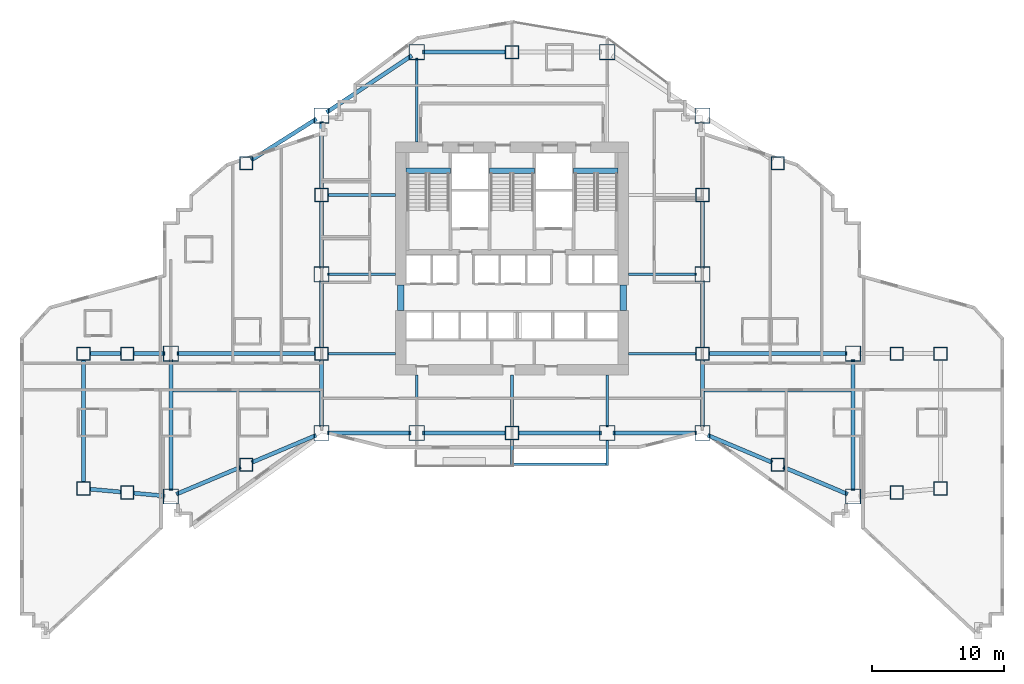
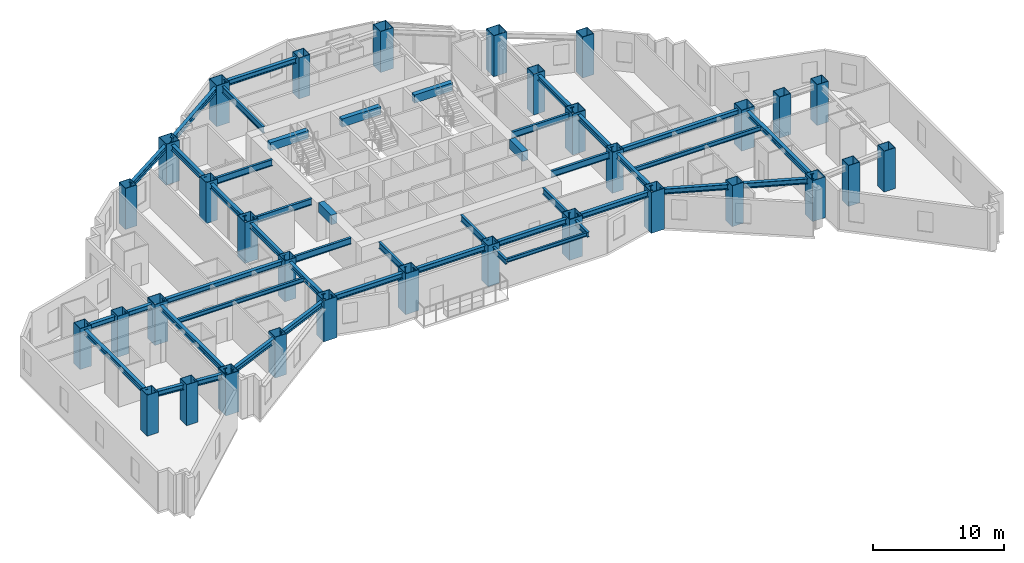
# One storey, part 1 of 15: 46 beams, 32 columns.
"""IFC4 building model written with IfcOpenShell, lengths in metres."""

from ifc_helpers import new_model, si_unit, direction, frame, origin, origin_2d, place, context, subcontext, project, spatial, rectangle, hollow_rectangle, i_section, extrude, material, material_profile, profile_set, type_object, element, save


model = new_model("IFC4")

# Units and contexts
model_context = context("Model", 3, precision=1e-05, world=origin(), true_north=direction((0.0, 1.0)))
body_context = subcontext(model_context, "Body", "Model", "MODEL_VIEW")
ifc_project = project(units=[si_unit("LENGTHUNIT", "METRE"), si_unit("AREAUNIT", "SQUARE_METRE"), si_unit("VOLUMEUNIT", "CUBIC_METRE"), si_unit("PLANEANGLEUNIT", "RADIAN"), si_unit("MASSUNIT", "GRAM", prefix="KILO")], contexts=[model_context])

# Site, building, storey
site_placement = place(None, origin())
site = spatial("IfcSite", under=ifc_project, at=site_placement, CompositionType="ELEMENT")
building_placement = place(site_placement, origin())
building = spatial("IfcBuilding", under=site, at=building_placement, Name="Haolan Belvedere Tower", CompositionType="ELEMENT")
storey_placement = place(building_placement, frame((0.0, 0.0, 66.60009765625)))
storey = spatial("IfcBuildingStorey", under=building, at=storey_placement, Name="L16", CompositionType="ELEMENT", Elevation=66.60009765625)

# Columns
ifc_material_1 = material(Name="Steel Q420GJC", Category="steel")
ifc_material_profile_1 = material_profile(ifc_material_1, hollow_rectangle(XDim=1.0, YDim=1.0, WallThickness=0.0380859375, at=origin_2d()), Name="Steel Q420GJC")
ifc_profile_set_1 = profile_set([ifc_material_profile_1], Name="Steel Q420GJC")
column_type_1 = type_object("IfcColumnType", Name="COL-BOX1000x1000x38", PredefinedType="COLUMN", material=ifc_profile_set_1)
for number, where, z_axis, x_axis, name in (
    (1, (6.0, 17.39990234375, 0.0), (0.0, 0.0, 1.0), (1.0, 0.0, 0.0), "L16 column MC-T1-SW (BOX1000x1000x38)"),
    (2, (6.0, 27.60009765625, 0.0), (0.0, 0.0, 1.0), (1.0, 0.0, 0.0), "L16 column MC-T1-NW (BOX1000x1000x38)"),
    (3, (70.800048828125, 17.39990234375, 0.0), (0.0, 0.0, 1.0), (1.0, 0.0, 0.0), "L16 column MC-T5-SE (BOX1000x1000x38)"),
    (4, (70.800048828125, 27.60009765625, 0.0), (0.0, 0.0, 1.0), (1.0, 0.0, 0.0), "L16 column MC-T5-NE (BOX1000x1000x38)"),
    (5, (24.0, 27.60009765625, 0.0), (0.0, 0.0, 1.0), (1.0, 0.0, 0.0), "L16 column TC-T3-W1 (BOX1000x1000x38)"),
    (6, (24.0, 39.60009765625, 0.0), (0.0, 0.0, 1.0), (1.0, 0.0, 0.0), "L16 column TC-T3-W2 (BOX1000x1000x38)"),
    (7, (52.800048828125, 27.60009765625, 0.0), (0.0, 0.0, 1.0), (1.0, 0.0, 0.0), "L16 column TC-T3-E1 (BOX1000x1000x38)"),
    (8, (52.800048828125, 39.60009765625, 0.0), (0.0, 0.0, 1.0), (1.0, 0.0, 0.0), "L16 column TC-T3-E2 (BOX1000x1000x38)"),
    (9, (38.39990234375, 21.60009765625, 0.0), (0.0, 0.0, 1.0), (1.0, 0.0, 0.0), "L16 column TC-T3-SM (BOX1000x1000x38)"),
    (10, (38.39990234375, 50.39990234375, 0.0), (0.0, 0.0, 1.0), (1.0, 0.0, 0.0), "L16 column TC-T3-NM (BOX1000x1000x38)"),
    (11, (18.300048828125, 19.199951171875, 0.0), (0.0, 0.0, 1.0), (1.0, 0.0, 0.0), "L16 column TC-T2-S1 (BOX1000x1000x38)"),
    (12, (18.300048828125, 42.0, 0.0), (0.0, 0.0, 1.0), (1.0, 0.0, 0.0), "L16 column TC-T2-N1 (BOX1000x1000x38)"),
    (13, (58.5, 19.199951171875, 0.0), (0.0, 0.0, 1.0), (1.0, 0.0, 0.0), "L16 column TC-T4-S1 (BOX1000x1000x38)"),
    (14, (58.5, 42.0, 0.0), (0.0, 0.0, 1.0), (1.0, 0.0, 0.0), "L16 column TC-T4-N1 (BOX1000x1000x38)"),
    (15, (9.300048828125, 17.10009765625, 0.0), (0.0, 0.0, 1.0), (1.0, 0.0, 0.0), "L16 column TC-T1-M1 (BOX1000x1000x38)"),
    (16, (9.300048828125, 27.60009765625, 0.0), (0.0, 0.0, 1.0), (1.0, 0.0, 0.0), "L16 column TC-T1-M2 (BOX1000x1000x38)"),
    (17, (67.5, 17.10009765625, 0.0), (0.0, 0.0, 1.0), (1.0, 0.0, 0.0), "L16 column TC-T5-M1 (BOX1000x1000x38)"),
    (18, (67.5, 27.60009765625, 0.0), (0.0, 0.0, 1.0), (1.0, 0.0, 0.0), "L16 column TC-T5-M2 (BOX1000x1000x38)"),
):
    element("IfcColumn", number, at=place(storey_placement, frame(where, z_axis=z_axis, x_axis=x_axis)), inside=storey, type_object=column_type_1, Name=name, PredefinedType="COLUMN", context=body_context, shape_type="SweptSolid", body=[
        extrude(hollow_rectangle(XDim=1.0, YDim=1.0, WallThickness=0.0380859375, at=origin_2d()), origin(), (0.0, 0.0, 1.0), 3.7998046875),
    ])
ifc_material_2 = material(Name="Steel Q355B", Category="steel")
ifc_material_profile_2 = material_profile(ifc_material_2, hollow_rectangle(XDim=1.14990234375, YDim=1.14990234375, WallThickness=0.0419921875, at=origin_2d()), Name="Steel Q355B")
ifc_profile_set_2 = profile_set([ifc_material_profile_2], Name="Steel Q355B")
column_type_2 = type_object("IfcColumnType", Name="COL-BOX1150x1150x42", PredefinedType="COLUMN", material=ifc_profile_set_2)
for number, where, z_axis, x_axis, name in (
    (19, (24.0, 21.60009765625, 0.0), (0.0, 0.0, 1.0), (1.0, 0.0, 0.0), "L16 column MC-T3-SW (BOX1150x1150x42)"),
    (20, (24.0, 33.60009765625, 0.0), (0.0, 0.0, 1.0), (1.0, 0.0, 0.0), "L16 column MC-T3-MW (BOX1150x1150x42)"),
    (21, (24.0, 45.60009765625, 0.0), (0.0, 0.0, 1.0), (1.0, 0.0, 0.0), "L16 column MC-T3-NW (BOX1150x1150x42)"),
    (22, (52.800048828125, 21.60009765625, 0.0), (0.0, 0.0, 1.0), (1.0, 0.0, 0.0), "L16 column MC-T3-SE (BOX1150x1150x42)"),
    (23, (52.800048828125, 33.60009765625, 0.0), (0.0, 0.0, 1.0), (1.0, 0.0, 0.0), "L16 column MC-T3-ME (BOX1150x1150x42)"),
    (24, (52.800048828125, 45.60009765625, 0.0), (0.0, 0.0, 1.0), (1.0, 0.0, 0.0), "L16 column MC-T3-NE (BOX1150x1150x42)"),
    (25, (31.199951171875, 21.60009765625, 0.0), (0.0, 0.0, 1.0), (1.0, 0.0, 0.0), "L16 column MC-T3-S1 (BOX1150x1150x42)"),
    (26, (45.60009765625, 21.60009765625, 0.0), (0.0, 0.0, 1.0), (1.0, 0.0, 0.0), "L16 column MC-T3-S2 (BOX1150x1150x42)"),
    (27, (31.199951171875, 50.39990234375, 0.0), (0.0, 0.0, 1.0), (1.0, 0.0, 0.0), "L16 column MC-T3-N1 (BOX1150x1150x42)"),
    (28, (45.60009765625, 50.39990234375, 0.0), (0.0, 0.0, 1.0), (1.0, 0.0, 0.0), "L16 column MC-T3-N2 (BOX1150x1150x42)"),
    (29, (12.60009765625, 16.800048828125, 0.0), (0.0, 0.0, 1.0), (1.0, 0.0, 0.0), "L16 column MC-T2-SW (BOX1150x1150x42)"),
    (30, (12.60009765625, 27.60009765625, 0.0), (0.0, 0.0, 1.0), (1.0, 0.0, 0.0), "L16 column MC-T2-MW (BOX1150x1150x42)"),
    (31, (64.199951171875, 16.800048828125, 0.0), (0.0, 0.0, 1.0), (1.0, 0.0, 0.0), "L16 column MC-T4-SE (BOX1150x1150x42)"),
    (32, (64.199951171875, 27.60009765625, 0.0), (0.0, 0.0, 1.0), (1.0, 0.0, 0.0), "L16 column MC-T4-ME (BOX1150x1150x42)"),
):
    element("IfcColumn", number, at=place(storey_placement, frame(where, z_axis=z_axis, x_axis=x_axis)), inside=storey, type_object=column_type_2, Name=name, PredefinedType="COLUMN", context=body_context, shape_type="SweptSolid", body=[
        extrude(hollow_rectangle(XDim=1.14990234375, YDim=1.14990234375, WallThickness=0.0419921875, at=origin_2d()), origin(), (0.0, 0.0, 1.0), 3.7998046875),
    ])

# Beams
ifc_material_profile_3 = material_profile(ifc_material_2, i_section(OverallWidth=0.300048828125, OverallDepth=0.488037109375, WebThickness=0.010986328125, FlangeThickness=0.01806640625, FilletRadius=0.02587890625, at=origin_2d()), Name="Steel Q355B")
ifc_profile_set_3 = profile_set([ifc_material_profile_3], Name="Steel Q355B")
beam_type_1 = type_object("IfcBeamType", Name="BM-HM488x300x11x18", PredefinedType="SPANDREL", material=ifc_profile_set_3)
for number, where, z_axis, x_axis, name in (
    (33, (24.0, 22.050048828125, 3.35595703125), (0.0, 1.0, 0.0), (-1.0, 0.0, 0.0), "L16 spandrel girder MC-T3-SW-TC-T3-W1"),
    (34, (24.0, 28.050048828125, 3.35595703125), (0.0, 1.0, 0.0), (-1.0, 0.0, 0.0), "L16 spandrel girder TC-T3-W1-MC-T3-MW"),
    (35, (24.0, 34.050048828125, 3.35595703125), (0.0, 1.0, 0.0), (-1.0, 0.0, 0.0), "L16 spandrel girder MC-T3-MW-TC-T3-W2"),
    (36, (24.0, 40.050048828125, 3.35595703125), (0.0, 1.0, 0.0), (-1.0, 0.0, 0.0), "L16 spandrel girder TC-T3-W2-MC-T3-NW"),
    (37, (52.800048828125, 22.050048828125, 3.35595703125), (0.0, 1.0, 0.0), (-1.0, 0.0, 0.0), "L16 spandrel girder MC-T3-SE-TC-T3-E1"),
    (38, (52.800048828125, 28.050048828125, 3.35595703125), (0.0, 1.0, 0.0), (-1.0, 0.0, 0.0), "L16 spandrel girder TC-T3-E1-MC-T3-ME"),
    (39, (52.800048828125, 34.050048828125, 3.35595703125), (0.0, 1.0, 0.0), (-1.0, 0.0, 0.0), "L16 spandrel girder MC-T3-ME-TC-T3-E2"),
):
    element("IfcBeam", number, at=place(storey_placement, frame(where, z_axis=z_axis, x_axis=x_axis)), inside=storey, type_object=beam_type_1, Name=name, PredefinedType="SPANDREL", context=body_context, shape_type="SweptSolid", body=[
        extrude(i_section(OverallWidth=0.300048828125, OverallDepth=0.488037109375, WebThickness=0.010986328125, FlangeThickness=0.01806640625, FilletRadius=0.02587890625, at=origin_2d()), origin(), (0.0, 0.0, 1.0), 5.099853515625),
    ])
for number, where, z_axis, x_axis, name in (
    (40, (24.449951171875, 21.60009765625, 3.35595703125), (1.0, 0.0, 0.0), (0.0, 1.0, 0.0), "L16 spandrel girder MC-T3-SW-MC-T3-S1"),
    (41, (31.64990234375, 21.60009765625, 3.35595703125), (1.0, 0.0, 0.0), (0.0, 1.0, 0.0), "L16 spandrel girder MC-T3-S1-TC-T3-SM"),
):
    element("IfcBeam", number, at=place(storey_placement, frame(where, z_axis=z_axis, x_axis=x_axis)), inside=storey, type_object=beam_type_1, Name=name, PredefinedType="SPANDREL", context=body_context, shape_type="SweptSolid", body=[
        extrude(i_section(OverallWidth=0.300048828125, OverallDepth=0.488037109375, WebThickness=0.010986328125, FlangeThickness=0.01806640625, FilletRadius=0.02587890625, at=origin_2d()), origin(), (0.0, 0.0, 1.0), 6.300048828125),
    ])
beam_1_placement = place(storey_placement, frame((38.85009765625, 21.60009765625, 3.35595703125), z_axis=(1.0, 0.0, 0.0), x_axis=(0.0, 1.0, 0.0)))
element("IfcBeam", 42, at=beam_1_placement, inside=storey, type_object=beam_type_1, Name="L16 spandrel girder TC-T3-SM-MC-T3-S2", PredefinedType="SPANDREL", context=body_context, shape_type="SweptSolid", body=[
    extrude(i_section(OverallWidth=0.300048828125, OverallDepth=0.488037109375, WebThickness=0.010986328125, FlangeThickness=0.01806640625, FilletRadius=0.02587890625, at=origin_2d()), origin(), (0.0, 0.0, 1.0), 6.2998046875),
])
beam_2_placement = place(storey_placement, frame((46.050048828125, 21.60009765625, 3.35595703125), z_axis=(1.0, 0.0, 0.0), x_axis=(0.0, 1.0, 0.0)))
element("IfcBeam", 43, at=beam_2_placement, inside=storey, type_object=beam_type_1, Name="L16 spandrel girder MC-T3-S2-MC-T3-SE", PredefinedType="SPANDREL", context=body_context, shape_type="SweptSolid", body=[
    extrude(i_section(OverallWidth=0.300048828125, OverallDepth=0.488037109375, WebThickness=0.010986328125, FlangeThickness=0.01806640625, FilletRadius=0.02587890625, at=origin_2d()), origin(), (0.0, 0.0, 1.0), 6.300048828125),
])
beam_3_placement = place(storey_placement, frame((24.37451171875, 45.849609375, 3.35595703125), z_axis=(0.832050294338, 0.554700196225, 0.0), x_axis=(-0.554700196225, 0.832050294338, 0.0)))
element("IfcBeam", 44, at=beam_3_placement, inside=storey, type_object=beam_type_1, Name="L16 spandrel girder MC-T3-NW-MC-T3-N1", PredefinedType="SPANDREL", context=body_context, shape_type="SweptSolid", body=[
    extrude(i_section(OverallWidth=0.300048828125, OverallDepth=0.488037109375, WebThickness=0.010986328125, FlangeThickness=0.01806640625, FilletRadius=0.02587890625, at=origin_2d()), origin(), (0.0, 0.0, 1.0), 7.75341796875),
])
beam_4_placement = place(storey_placement, frame((31.64990234375, 50.39990234375, 3.35595703125), z_axis=(1.0, 0.0, 0.0), x_axis=(0.0, 1.0, 0.0)))
element("IfcBeam", 45, at=beam_4_placement, inside=storey, type_object=beam_type_1, Name="L16 spandrel girder MC-T3-N1-TC-T3-NM", PredefinedType="SPANDREL", context=body_context, shape_type="SweptSolid", body=[
    extrude(i_section(OverallWidth=0.300048828125, OverallDepth=0.488037109375, WebThickness=0.010986328125, FlangeThickness=0.01806640625, FilletRadius=0.02587890625, at=origin_2d()), origin(), (0.0, 0.0, 1.0), 6.300048828125),
])
beam_5_placement = place(storey_placement, frame((12.60009765625, 17.25, 3.35595703125), z_axis=(0.0, 1.0, 0.0), x_axis=(-1.0, 0.0, 0.0)))
element("IfcBeam", 46, at=beam_5_placement, inside=storey, type_object=beam_type_1, Name="L16 spandrel girder MC-T2-SW-MC-T2-MW", PredefinedType="SPANDREL", context=body_context, shape_type="SweptSolid", body=[
    extrude(i_section(OverallWidth=0.300048828125, OverallDepth=0.488037109375, WebThickness=0.010986328125, FlangeThickness=0.01806640625, FilletRadius=0.02587890625, at=origin_2d()), origin(), (0.0, 0.0, 1.0), 9.89990234375),
])
beam_6_placement = place(storey_placement, frame((13.0146484375, 16.974609375, 3.35595703125), z_axis=(0.921635375138, 0.388057000058, 0.0), x_axis=(-0.388057000058, 0.921635375138, 0.0)))
element("IfcBeam", 47, at=beam_6_placement, inside=storey, type_object=beam_type_1, Name="L16 spandrel girder MC-T2-SW-TC-T2-S1", PredefinedType="SPANDREL", context=body_context, shape_type="SweptSolid", body=[
    extrude(i_section(OverallWidth=0.300048828125, OverallDepth=0.488037109375, WebThickness=0.010986328125, FlangeThickness=0.01806640625, FilletRadius=0.02587890625, at=origin_2d()), origin(), (0.0, 0.0, 1.0), 5.28466796875),
])
beam_7_placement = place(storey_placement, frame((18.71484375, 19.37451171875, 3.35595703125), z_axis=(0.92162841793, 0.388073523014, 0.0), x_axis=(-0.388073523014, 0.92162841793, 0.0)))
element("IfcBeam", 48, at=beam_7_placement, inside=storey, type_object=beam_type_1, Name="L16 spandrel girder TC-T2-S1-MC-T3-SW", PredefinedType="SPANDREL", context=body_context, shape_type="SweptSolid", body=[
    extrude(i_section(OverallWidth=0.300048828125, OverallDepth=0.488037109375, WebThickness=0.010986328125, FlangeThickness=0.01806640625, FilletRadius=0.02587890625, at=origin_2d()), origin(), (0.0, 0.0, 1.0), 5.284423828125),
])
beam_8_placement = place(storey_placement, frame((18.680419921875, 42.240234375, 3.35595703125), z_axis=(0.845497840649, 0.533978839898, 0.0), x_axis=(-0.533978839898, 0.845497840649, 0.0)))
element("IfcBeam", 49, at=beam_8_placement, inside=storey, type_object=beam_type_1, Name="L16 spandrel girder TC-T2-N1-MC-T3-NW", PredefinedType="SPANDREL", context=body_context, shape_type="SweptSolid", body=[
    extrude(i_section(OverallWidth=0.300048828125, OverallDepth=0.488037109375, WebThickness=0.010986328125, FlangeThickness=0.01806640625, FilletRadius=0.02587890625, at=origin_2d()), origin(), (0.0, 0.0, 1.0), 5.841796875),
])
beam_9_placement = place(storey_placement, frame((13.050048828125, 27.60009765625, 3.35595703125), z_axis=(1.0, 0.0, 0.0), x_axis=(0.0, 1.0, 0.0)))
element("IfcBeam", 50, at=beam_9_placement, inside=storey, type_object=beam_type_1, Name="L16 spandrel girder MC-T2-MW-TC-T3-W1", PredefinedType="SPANDREL", context=body_context, shape_type="SweptSolid", body=[
    extrude(i_section(OverallWidth=0.300048828125, OverallDepth=0.488037109375, WebThickness=0.010986328125, FlangeThickness=0.01806640625, FilletRadius=0.02587890625, at=origin_2d()), origin(), (0.0, 0.0, 1.0), 10.5),
])
beam_10_placement = place(storey_placement, frame((64.199951171875, 17.25, 3.35595703125), z_axis=(0.0, 1.0, 0.0), x_axis=(-1.0, 0.0, 0.0)))
element("IfcBeam", 51, at=beam_10_placement, inside=storey, type_object=beam_type_1, Name="L16 spandrel girder MC-T4-SE-MC-T4-ME", PredefinedType="SPANDREL", context=body_context, shape_type="SweptSolid", body=[
    extrude(i_section(OverallWidth=0.300048828125, OverallDepth=0.488037109375, WebThickness=0.010986328125, FlangeThickness=0.01806640625, FilletRadius=0.02587890625, at=origin_2d()), origin(), (0.0, 0.0, 1.0), 9.89990234375),
])
for number, where, z_axis, x_axis, name in (
    (52, (53.21484375, 21.42529296875, 3.35595703125), (0.92162841793, -0.388073523014, 0.0), (0.388073523014, 0.92162841793, 0.0), "L16 spandrel girder MC-T3-SE-TC-T4-S1"),
    (53, (58.914794921875, 19.025390625, 3.35595703125), (0.92162841793, -0.388073523014, 0.0), (0.388073523014, 0.92162841793, 0.0), "L16 spandrel girder TC-T4-S1-MC-T4-SE"),
):
    element("IfcBeam", number, at=place(storey_placement, frame(where, z_axis=z_axis, x_axis=x_axis)), inside=storey, type_object=beam_type_1, Name=name, PredefinedType="SPANDREL", context=body_context, shape_type="SweptSolid", body=[
        extrude(i_section(OverallWidth=0.300048828125, OverallDepth=0.488037109375, WebThickness=0.010986328125, FlangeThickness=0.01806640625, FilletRadius=0.02587890625, at=origin_2d()), origin(), (0.0, 0.0, 1.0), 5.284423828125),
    ])
beam_11_placement = place(storey_placement, frame((53.25, 27.60009765625, 3.35595703125), z_axis=(1.0, 0.0, 0.0), x_axis=(0.0, 1.0, 0.0)))
element("IfcBeam", 54, at=beam_11_placement, inside=storey, type_object=beam_type_1, Name="L16 spandrel girder TC-T3-E1-MC-T4-ME", PredefinedType="SPANDREL", context=body_context, shape_type="SweptSolid", body=[
    extrude(i_section(OverallWidth=0.300048828125, OverallDepth=0.488037109375, WebThickness=0.010986328125, FlangeThickness=0.01806640625, FilletRadius=0.02587890625, at=origin_2d()), origin(), (0.0, 0.0, 1.0), 10.5),
])
beam_12_placement = place(storey_placement, frame((6.0, 17.85009765625, 3.35595703125), z_axis=(0.0, 1.0, 0.0), x_axis=(-1.0, 0.0, 0.0)))
element("IfcBeam", 55, at=beam_12_placement, inside=storey, type_object=beam_type_1, Name="L16 spandrel girder MC-T1-SW-MC-T1-NW", PredefinedType="SPANDREL", context=body_context, shape_type="SweptSolid", body=[
    extrude(i_section(OverallWidth=0.300048828125, OverallDepth=0.488037109375, WebThickness=0.010986328125, FlangeThickness=0.01806640625, FilletRadius=0.02587890625, at=origin_2d()), origin(), (0.0, 0.0, 1.0), 9.2998046875),
])
beam_13_placement = place(storey_placement, frame((6.4482421875, 17.359375, 3.35595703125), z_axis=(0.995884080761, -0.090636072764, 0.0), x_axis=(0.090636072764, 0.995884080761, 0.0)))
element("IfcBeam", 56, at=beam_13_placement, inside=storey, type_object=beam_type_1, Name="L16 spandrel girder MC-T1-SW-TC-T1-M1", PredefinedType="SPANDREL", context=body_context, shape_type="SweptSolid", body=[
    extrude(i_section(OverallWidth=0.300048828125, OverallDepth=0.488037109375, WebThickness=0.010986328125, FlangeThickness=0.01806640625, FilletRadius=0.02587890625, at=origin_2d()), origin(), (0.0, 0.0, 1.0), 2.41357421875),
])
beam_14_placement = place(storey_placement, frame((9.748046875, 17.059326171875, 3.35595703125), z_axis=(0.9958940355, -0.090526626221, 0.0), x_axis=(0.090526626221, 0.9958940355, 0.0)))
element("IfcBeam", 57, at=beam_14_placement, inside=storey, type_object=beam_type_1, Name="L16 spandrel girder TC-T1-M1-MC-T2-SW", PredefinedType="SPANDREL", context=body_context, shape_type="SweptSolid", body=[
    extrude(i_section(OverallWidth=0.300048828125, OverallDepth=0.488037109375, WebThickness=0.010986328125, FlangeThickness=0.01806640625, FilletRadius=0.02587890625, at=origin_2d()), origin(), (0.0, 0.0, 1.0), 2.413818359375),
])
beam_15_placement = place(storey_placement, frame((6.449951171875, 27.60009765625, 3.35595703125), z_axis=(1.0, 0.0, 0.0), x_axis=(0.0, 1.0, 0.0)))
element("IfcBeam", 58, at=beam_15_placement, inside=storey, type_object=beam_type_1, Name="L16 spandrel girder MC-T1-NW-TC-T1-M2", PredefinedType="SPANDREL", context=body_context, shape_type="SweptSolid", body=[
    extrude(i_section(OverallWidth=0.300048828125, OverallDepth=0.488037109375, WebThickness=0.010986328125, FlangeThickness=0.01806640625, FilletRadius=0.02587890625, at=origin_2d()), origin(), (0.0, 0.0, 1.0), 2.400146484375),
])
beam_16_placement = place(storey_placement, frame((9.75, 27.60009765625, 3.35595703125), z_axis=(1.0, 0.0, 0.0), x_axis=(0.0, 1.0, 0.0)))
element("IfcBeam", 59, at=beam_16_placement, inside=storey, type_object=beam_type_1, Name="L16 spandrel girder TC-T1-M2-MC-T2-MW", PredefinedType="SPANDREL", context=body_context, shape_type="SweptSolid", body=[
    extrude(i_section(OverallWidth=0.300048828125, OverallDepth=0.488037109375, WebThickness=0.010986328125, FlangeThickness=0.01806640625, FilletRadius=0.02587890625, at=origin_2d()), origin(), (0.0, 0.0, 1.0), 2.39990234375),
])
ifc_material_profile_4 = material_profile(ifc_material_2, i_section(OverallWidth=0.175048828125, OverallDepth=0.35009765625, WebThickness=0.007080078125, FlangeThickness=0.010986328125, FilletRadius=0.012939453125, at=origin_2d()), Name="Steel Q355B")
ifc_profile_set_4 = profile_set([ifc_material_profile_4], Name="Steel Q355B")
beam_type_2 = type_object("IfcBeamType", Name="BM-HN350x175x7x11", PredefinedType="JOIST", material=ifc_profile_set_4)
beam_17_placement = place(storey_placement, frame((38.5, 19.239990234375, 3.39501953125), z_axis=(1.0, 0.0, 0.0), x_axis=(0.0, 1.0, 0.0)))
element("IfcBeam", 60, at=beam_17_placement, inside=storey, type_object=beam_type_2, Name="L17 tree-balcony front trimmer beam 1", PredefinedType="BEAM", context=body_context, shape_type="SweptSolid", body=[
    extrude(i_section(OverallWidth=0.175048828125, OverallDepth=0.35009765625, WebThickness=0.007080078125, FlangeThickness=0.010986328125, FilletRadius=0.012939453125, at=origin_2d()), origin(), (0.0, 0.0, 1.0), 7.0),
])
ifc_material_profile_5 = material_profile(ifc_material_2, i_section(OverallWidth=0.199951171875, OverallDepth=0.39990234375, WebThickness=0.008056640625, FlangeThickness=0.012939453125, FilletRadius=0.01611328125, at=origin_2d()), Name="Steel Q355B")
ifc_profile_set_5 = profile_set([ifc_material_profile_5], Name="Steel Q355B")
beam_type_3 = type_object("IfcBeamType", Name="BM-HN400x200x8x13", PredefinedType="JOIST", material=ifc_profile_set_5)
for number, where, z_axis, x_axis, name in (
    (61, (12.75, 24.800048828125, 3.39990234375), (1.0, 0.0, 0.0), (0.0, 1.0, 0.0), "L16 west wing floor joist 1"),
    (62, (52.949951171875, 24.800048828125, 3.39990234375), (1.0, 0.0, 0.0), (0.0, 1.0, 0.0), "L16 east wing floor joist 1"),
):
    element("IfcBeam", number, at=place(storey_placement, frame(where, z_axis=z_axis, x_axis=x_axis)), inside=storey, type_object=beam_type_3, Name=name, PredefinedType="JOIST", context=body_context, shape_type="SweptSolid", body=[
        extrude(i_section(OverallWidth=0.199951171875, OverallDepth=0.39990234375, WebThickness=0.008056640625, FlangeThickness=0.012939453125, FilletRadius=0.01611328125, at=origin_2d()), origin(), (0.0, 0.0, 1.0), 11.10009765625),
    ])
ifc_material_profile_6 = material_profile(ifc_material_2, i_section(OverallWidth=0.199951171875, OverallDepth=0.449951171875, WebThickness=0.009033203125, FlangeThickness=0.013916015625, FilletRadius=0.01611328125, at=origin_2d()), Name="Steel Q355B")
ifc_profile_set_6 = profile_set([ifc_material_profile_6], Name="Steel Q355B")
beam_type_4 = type_object("IfcBeamType", Name="BM-HN450x200x9x14", PredefinedType="BEAM", material=ifc_profile_set_6)
beam_18_placement = place(storey_placement, frame((38.39990234375, 21.10009765625, 3.344970703125), z_axis=(0.0, -1.0, 0.0), x_axis=(1.0, 0.0, 0.0)))
element("IfcBeam", 63, at=beam_18_placement, inside=storey, type_object=beam_type_4, Name="L17 tree-balcony column cantilever TC-T3-SM", PredefinedType="BEAM", context=body_context, shape_type="SweptSolid", body=[
    extrude(i_section(OverallWidth=0.199951171875, OverallDepth=0.449951171875, WebThickness=0.009033203125, FlangeThickness=0.013916015625, FilletRadius=0.01611328125, at=origin_2d()), origin(), (0.0, 0.0, 1.0), 1.960205078125),
])
beam_19_placement = place(storey_placement, frame((45.60009765625, 21.02490234375, 3.344970703125), z_axis=(0.0, -1.0, 0.0), x_axis=(1.0, 0.0, 0.0)))
element("IfcBeam", 64, at=beam_19_placement, inside=storey, type_object=beam_type_4, Name="L17 tree-balcony column cantilever MC-T3-S2", PredefinedType="BEAM", context=body_context, shape_type="SweptSolid", body=[
    extrude(i_section(OverallWidth=0.199951171875, OverallDepth=0.449951171875, WebThickness=0.009033203125, FlangeThickness=0.013916015625, FilletRadius=0.01611328125, at=origin_2d()), origin(), (0.0, 0.0, 1.0), 1.885009765625),
])
ifc_material_profile_7 = material_profile(ifc_material_2, i_section(OverallWidth=0.199951171875, OverallDepth=0.60009765625, WebThickness=0.010986328125, FlangeThickness=0.01708984375, FilletRadius=0.02197265625, at=origin_2d()), Name="Steel Q355B")
ifc_profile_set_7 = profile_set([ifc_material_profile_7], Name="Steel Q355B")
beam_type_5 = type_object("IfcBeamType", Name="BM-HN600x200x11x17", PredefinedType="BEAM", material=ifc_profile_set_7)
for number, where, z_axis, x_axis, name in (
    (65, (24.449951171875, 33.60009765625, 3.2998046875), (1.0, 0.0, 0.0), (0.0, 1.0, 0.0), "L16 core tie beam from MC-T3-MW"),
    (66, (24.449951171875, 27.60009765625, 3.2998046875), (1.0, 0.0, 0.0), (0.0, 1.0, 0.0), "L16 core tie beam from TC-T3-W1"),
    (67, (24.449951171875, 39.60009765625, 3.2998046875), (1.0, 0.0, 0.0), (0.0, 1.0, 0.0), "L16 core tie beam from TC-T3-W2"),
    (68, (52.35009765625, 33.60009765625, 3.2998046875), (-1.0, 0.0, 0.0), (0.0, -1.0, 0.0), "L16 core tie beam from MC-T3-ME"),
    (69, (52.35009765625, 27.60009765625, 3.2998046875), (-1.0, 0.0, 0.0), (0.0, -1.0, 0.0), "L16 core tie beam from TC-T3-E1"),
):
    element("IfcBeam", number, at=place(storey_placement, frame(where, z_axis=z_axis, x_axis=x_axis)), inside=storey, type_object=beam_type_5, Name=name, PredefinedType="BEAM", context=body_context, shape_type="SweptSolid", body=[
        extrude(i_section(OverallWidth=0.199951171875, OverallDepth=0.60009765625, WebThickness=0.010986328125, FlangeThickness=0.01708984375, FilletRadius=0.02197265625, at=origin_2d()), origin(), (0.0, 0.0, 1.0), 5.150146484375),
    ])
for number, where, z_axis, x_axis, name in (
    (70, (31.199951171875, 22.050048828125, 3.2998046875), (0.0, 1.0, 0.0), (-1.0, 0.0, 0.0), "L16 core tie beam from MC-T3-S1"),
    (71, (38.39990234375, 22.050048828125, 3.2998046875), (0.0, 1.0, 0.0), (-1.0, 0.0, 0.0), "L16 core tie beam from TC-T3-SM"),
    (72, (45.60009765625, 22.050048828125, 3.2998046875), (0.0, 1.0, 0.0), (-1.0, 0.0, 0.0), "L16 core tie beam from MC-T3-S2"),
):
    element("IfcBeam", number, at=place(storey_placement, frame(where, z_axis=z_axis, x_axis=x_axis)), inside=storey, type_object=beam_type_5, Name=name, PredefinedType="BEAM", context=body_context, shape_type="SweptSolid", body=[
        extrude(i_section(OverallWidth=0.199951171875, OverallDepth=0.60009765625, WebThickness=0.010986328125, FlangeThickness=0.01708984375, FilletRadius=0.02197265625, at=origin_2d()), origin(), (0.0, 0.0, 1.0), 3.949951171875),
    ])
beam_20_placement = place(storey_placement, frame((31.199951171875, 49.949951171875, 3.2998046875), z_axis=(0.0, -1.0, 0.0), x_axis=(1.0, 0.0, 0.0)))
element("IfcBeam", 73, at=beam_20_placement, inside=storey, type_object=beam_type_5, Name="L16 core tie beam from MC-T3-N1", PredefinedType="BEAM", context=body_context, shape_type="SweptSolid", body=[
    extrude(i_section(OverallWidth=0.199951171875, OverallDepth=0.60009765625, WebThickness=0.010986328125, FlangeThickness=0.01708984375, FilletRadius=0.02197265625, at=origin_2d()), origin(), (0.0, 0.0, 1.0), 6.349853515625),
])
ifc_material_3 = material(Name="Concrete C50/60", Category="concrete")
ifc_material_profile_8 = material_profile(ifc_material_3, rectangle(XDim=0.39990234375, YDim=0.75, at=origin_2d()), Name="Concrete C50/60")
ifc_profile_set_8 = profile_set([ifc_material_profile_8], Name="Concrete C50/60")
beam_type_6 = type_object("IfcBeamType", Name="BM-RC400x750", PredefinedType="T_BEAM", material=ifc_profile_set_8)
beam_21_placement = place(storey_placement, frame((30.3798828125, 41.429931640625, 3.4248046875), z_axis=(1.0, 0.0, 0.0), x_axis=(0.0, 1.0, 0.0)))
element("IfcBeam", 74, at=beam_21_placement, inside=storey, type_object=beam_type_6, Name="L17 stair ST1 RC header trimmer beam", PredefinedType="BEAM", context=body_context, shape_type="SweptSolid", body=[
    extrude(rectangle(XDim=0.39990234375, YDim=0.75, at=origin_2d()), origin(), (0.0, 0.0, 1.0), 3.360107421875),
])
beam_22_placement = place(storey_placement, frame((36.699951171875, 41.429931640625, 3.4248046875), z_axis=(1.0, 0.0, 0.0), x_axis=(0.0, 1.0, 0.0)))
element("IfcBeam", 75, at=beam_22_placement, inside=storey, type_object=beam_type_6, Name="L17 stair ST3 RC header trimmer beam", PredefinedType="BEAM", context=body_context, shape_type="SweptSolid", body=[
    extrude(rectangle(XDim=0.39990234375, YDim=0.75, at=origin_2d()), origin(), (0.0, 0.0, 1.0), 3.400146484375),
])
beam_23_placement = place(storey_placement, frame((43.06005859375, 41.429931640625, 3.4248046875), z_axis=(1.0, 0.0, 0.0), x_axis=(0.0, 1.0, 0.0)))
element("IfcBeam", 76, at=beam_23_placement, inside=storey, type_object=beam_type_6, Name="L17 stair ST2 RC header trimmer beam", PredefinedType="BEAM", context=body_context, shape_type="SweptSolid", body=[
    extrude(rectangle(XDim=0.39990234375, YDim=0.75, at=origin_2d()), origin(), (0.0, 0.0, 1.0), 3.35986328125),
])
ifc_material_4 = material(Name="Concrete C60/75", Category="concrete")
ifc_material_profile_9 = material_profile(ifc_material_4, rectangle(XDim=0.5, YDim=0.89990234375, at=origin_2d()), Name="Concrete C60/75")
ifc_profile_set_9 = profile_set([ifc_material_profile_9], Name="Concrete C60/75")
beam_type_7 = type_object("IfcBeamType", Name="BM-RC500x900", PredefinedType="LINTEL", material=ifc_profile_set_9)
for number, where, z_axis, x_axis, name in (
    (77, (30.0, 30.85009765625, 3.14990234375), (0.0, 1.0, 0.0), (-1.0, 0.0, 0.0), "L16 west core coupling beam CB-01"),
    (78, (46.800048828125, 30.85009765625, 3.14990234375), (0.0, 1.0, 0.0), (-1.0, 0.0, 0.0), "L16 east core coupling beam CB-01"),
):
    element("IfcBeam", number, at=place(storey_placement, frame(where, z_axis=z_axis, x_axis=x_axis)), inside=storey, type_object=beam_type_7, Name=name, PredefinedType="LINTEL", context=body_context, shape_type="SweptSolid", body=[
        extrude(rectangle(XDim=0.5, YDim=0.89990234375, at=origin_2d()), origin(), (0.0, 0.0, 1.0), 1.949951171875),
    ])

save(model, "model.ifc")
